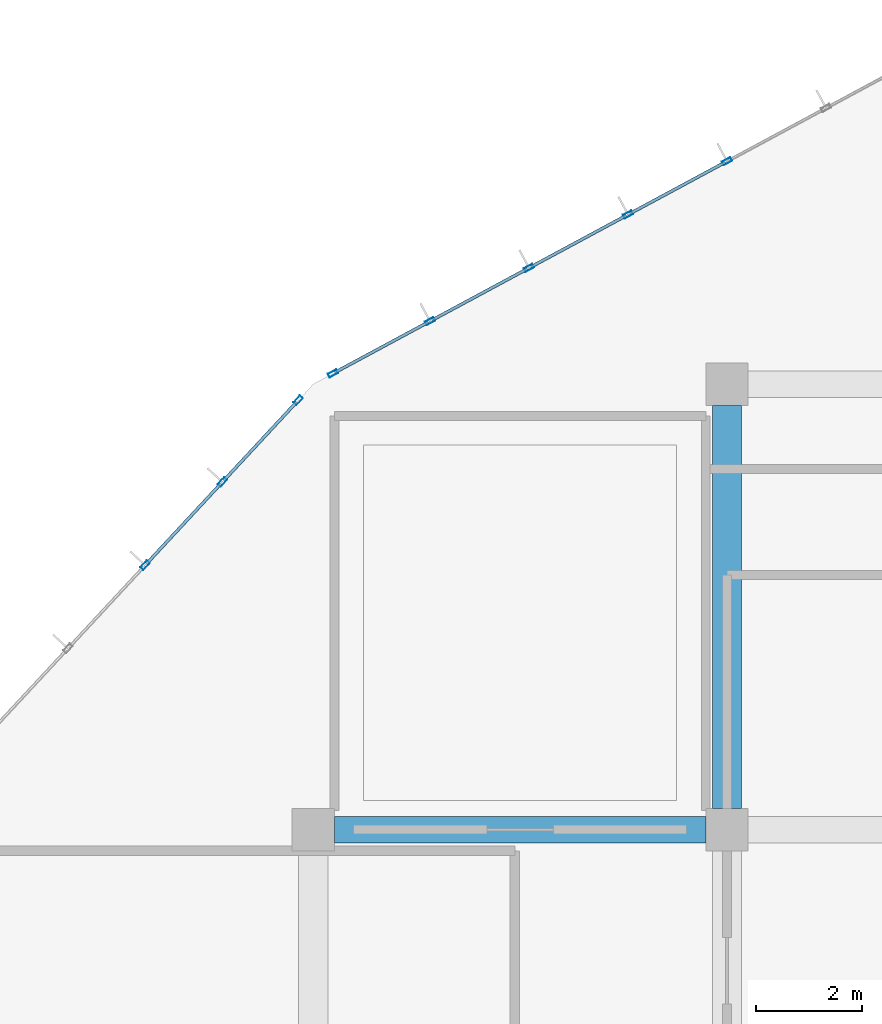
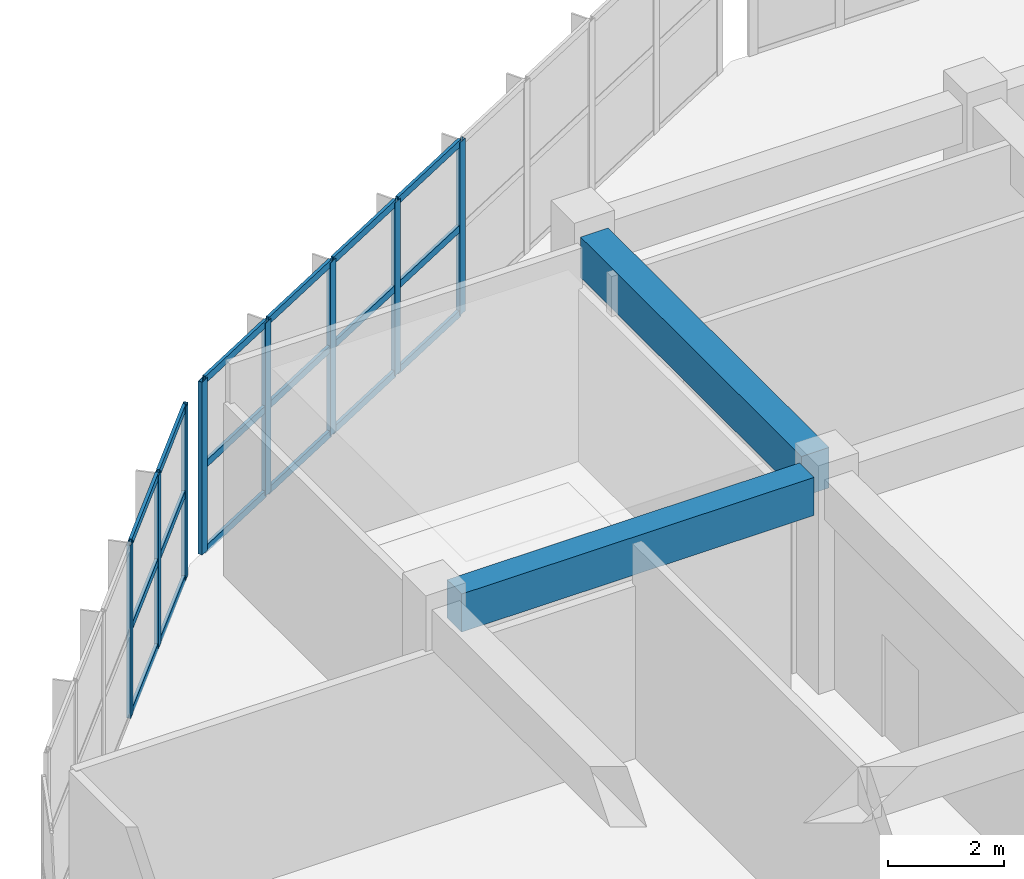
# One storey, part 30 of 139: 26 members, 2 beams, 2 elements without a shape of their own.
"""IFC4 building model written with IfcOpenShell, lengths in metres."""

from ifc_helpers import new_model, si_unit, direction, frame, origin, origin_2d, place, context, subcontext, project, spatial, rectangle, hollow_rectangle, extrude, material, layer, layer_set, material_profile, profile_set, type_object, element, aggregate, save


model = new_model("IFC4")

# Units and contexts
model_context = context("Model", 3, precision=1e-05, world=origin(), true_north=direction((0.0, 1.0)))
body_context = subcontext(model_context, "Body", "Model", "MODEL_VIEW")
ifc_project = project(units=[si_unit("LENGTHUNIT", "METRE"), si_unit("AREAUNIT", "SQUARE_METRE"), si_unit("VOLUMEUNIT", "CUBIC_METRE"), si_unit("PLANEANGLEUNIT", "RADIAN"), si_unit("MASSUNIT", "GRAM", prefix="KILO")], contexts=[model_context])

# Site, building, storey
site_placement = place(None, origin())
site = spatial("IfcSite", under=ifc_project, at=site_placement, CompositionType="ELEMENT")
building_placement = place(site_placement, origin())
building = spatial("IfcBuilding", under=site, at=building_placement, Name="Zizhar Promenade General Hospital", CompositionType="ELEMENT")
storey_placement = place(building_placement, origin())
storey = spatial("IfcBuildingStorey", under=building, at=storey_placement, Name="L00", CompositionType="ELEMENT", Elevation=0.0)

# Beams
ifc_material_1 = material(Name="Concrete C35/45", Category="concrete")
ifc_material_profile_1 = material_profile(ifc_material_1, rectangle(XDim=0.5, YDim=0.800048828125, at=origin_2d()))
ifc_profile_set_1 = profile_set([ifc_material_profile_1], Name="Concrete C35/45")
beam_type_1 = type_object("IfcBeamType", Name="BM-RC-500x800", PredefinedType="BEAM", material=ifc_profile_set_1)
beam_1_placement = place(storey_placement, frame((16.0, 67.199951171875, 4.070068359375), z_axis=(1.0, 0.0, 0.0), x_axis=(0.0, 1.0, 0.0)))
element("IfcBeam", 1, at=beam_1_placement, inside=storey, type_object=beam_type_1, Name="Grid Beam X L00 (2-8)", PredefinedType="BEAM", context=body_context, shape_type="SweptSolid", body=[
    extrude(rectangle(XDim=0.5, YDim=0.800048828125, at=origin_2d()), origin(), (0.0, 0.0, 1.0), 7.0),
])
ifc_material_2 = material(Name="Concrete C35/45", Category="concrete")
ifc_material_profile_2 = material_profile(ifc_material_2, rectangle(XDim=0.550048828125, YDim=0.85009765625, at=origin_2d()))
ifc_profile_set_2 = profile_set([ifc_material_profile_2], Name="Concrete C35/45")
beam_type_2 = type_object("IfcBeamType", Name="BM-RC-550x850", PredefinedType="BEAM", material=ifc_profile_set_2)
beam_2_placement = place(storey_placement, frame((23.39990234375, 67.60009765625, 4.044921875), z_axis=(0.0, 1.0, 0.0), x_axis=(-1.0, 0.0, 0.0)))
element("IfcBeam", 2, at=beam_2_placement, inside=storey, type_object=beam_type_2, Name="Grid Beam Y L00 (3-8)", PredefinedType="BEAM", context=body_context, shape_type="SweptSolid", body=[
    extrude(rectangle(XDim=0.550048828125, YDim=0.85009765625, at=origin_2d()), origin(), (0.0, 0.0, 1.0), 7.599853515625),
])

# Curtain wall, members
ifc_material_3 = material(Name="Anodised aluminium 6063-T6 and low-E glass", Category="aluminium")
ifc_layer = layer(ifc_material_3, 0.159912109375)
ifc_layer_set = layer_set([ifc_layer], Name="Anodised aluminium 6063-T6 and low-E glass")
curtain_wall_type = type_object("IfcCurtainWallType", Name="CW-DT-MOD2", PredefinedType="NOTDEFINED", material=ifc_layer_set)
curtain_wall_1_placement = place(storey_placement, origin())
curtain_wall_1 = element("IfcCurtainWall", 3, at=curtain_wall_1_placement, inside=storey, type_object=curtain_wall_type, Name="West Diagnostic Arm Glazed Curtain Wall L00-NW2", PredefinedType="NOTDEFINED")
ifc_material_4 = material(Name="Anodised aluminium 6063-T6", Category="aluminium")
ifc_material_profile_3 = material_profile(ifc_material_4, hollow_rectangle(XDim=0.080078125, YDim=0.179931640625, WallThickness=0.0048828125, at=origin_2d()))
ifc_profile_set_3 = profile_set([ifc_material_profile_3], Name="Anodised aluminium 6063-T6")
member_type_1 = type_object("IfcMemberType", Name="CWM-ALU-180x80", PredefinedType="MULLION", material=ifc_profile_set_3)
member_1_placement = place(storey_placement, frame((12.42822265625, 72.184326171875, 0.0), z_axis=(0.0, 0.0, 1.0), x_axis=(-0.732792826081, 0.680451816108, 0.0)))
member_1 = element("IfcMember", 4, at=member_1_placement, type_object=member_type_1, Name="CW-08 mullion 4", PredefinedType="MULLION", context=body_context, shape_type="SweptSolid", body=[
    extrude(hollow_rectangle(XDim=0.080078125, YDim=0.179931640625, WallThickness=0.0048828125, at=origin_2d()), origin(), (0.0, 0.0, 1.0), 3.6298828125),
])
member_2_placement = place(storey_placement, frame((13.884765625, 73.7529296875, 0.0), z_axis=(0.0, 0.0, 1.0), x_axis=(-0.732792826081, 0.680451816108, 0.0)))
member_2 = element("IfcMember", 5, at=member_2_placement, type_object=member_type_1, Name="CW-08 mullion 5", PredefinedType="MULLION", context=body_context, shape_type="SweptSolid", body=[
    extrude(hollow_rectangle(XDim=0.080078125, YDim=0.179931640625, WallThickness=0.0048828125, at=origin_2d()), origin(), (0.0, 0.0, 1.0), 3.6298828125),
])
member_3_placement = place(storey_placement, frame((15.314208984375, 75.292236328125, 0.0), z_axis=(0.0, 0.0, 1.0), x_axis=(-0.732792826081, 0.680451816108, 0.0)))
member_3 = element("IfcMember", 6, at=member_3_placement, type_object=member_type_1, Name="CW-08 mullion 6", PredefinedType="MULLION", context=body_context, shape_type="SweptSolid", body=[
    extrude(hollow_rectangle(XDim=0.080078125, YDim=0.179931640625, WallThickness=0.0048828125, at=origin_2d()), origin(), (0.0, 0.0, 1.0), 3.6298828125),
])

curtain_wall_2_placement = place(storey_placement, origin())
curtain_wall_2 = element("IfcCurtainWall", 7, at=curtain_wall_2_placement, inside=storey, type_object=curtain_wall_type, Name="West Diagnostic Arm Glazed Curtain Wall L00-NW3", PredefinedType="NOTDEFINED")
member_4_placement = place(storey_placement, frame((15.9697265625, 75.799072265625, 0.0), z_axis=(0.0, 0.0, 1.0), x_axis=(-0.474097009774, 0.880472614749, 0.0)))
member_4 = element("IfcMember", 8, at=member_4_placement, type_object=member_type_1, Name="CW-08 mullion 1", PredefinedType="MULLION", context=body_context, shape_type="SweptSolid", body=[
    extrude(hollow_rectangle(XDim=0.080078125, YDim=0.179931640625, WallThickness=0.0048828125, at=origin_2d()), origin(), (0.0, 0.0, 1.0), 3.6298828125),
])
member_5_placement = place(storey_placement, frame((17.801025390625, 76.78515625, 0.0), z_axis=(0.0, 0.0, 1.0), x_axis=(-0.474097009774, 0.880472614749, 0.0)))
member_5 = element("IfcMember", 9, at=member_5_placement, type_object=member_type_1, Name="CW-08 mullion 2", PredefinedType="MULLION", context=body_context, shape_type="SweptSolid", body=[
    extrude(hollow_rectangle(XDim=0.080078125, YDim=0.179931640625, WallThickness=0.0048828125, at=origin_2d()), origin(), (0.0, 0.0, 1.0), 3.6298828125),
])
member_6_placement = place(storey_placement, frame((19.667236328125, 77.7900390625, 0.0), z_axis=(0.0, 0.0, 1.0), x_axis=(-0.474097009774, 0.880472614749, 0.0)))
member_6 = element("IfcMember", 10, at=member_6_placement, type_object=member_type_1, Name="CW-08 mullion 3", PredefinedType="MULLION", context=body_context, shape_type="SweptSolid", body=[
    extrude(hollow_rectangle(XDim=0.080078125, YDim=0.179931640625, WallThickness=0.0048828125, at=origin_2d()), origin(), (0.0, 0.0, 1.0), 3.6298828125),
])
member_7_placement = place(storey_placement, frame((21.53369140625, 78.795166015625, 0.0), z_axis=(0.0, 0.0, 1.0), x_axis=(-0.474097009774, 0.880472614749, 0.0)))
member_7 = element("IfcMember", 11, at=member_7_placement, type_object=member_type_1, Name="CW-08 mullion 4", PredefinedType="MULLION", context=body_context, shape_type="SweptSolid", body=[
    extrude(hollow_rectangle(XDim=0.080078125, YDim=0.179931640625, WallThickness=0.0048828125, at=origin_2d()), origin(), (0.0, 0.0, 1.0), 3.6298828125),
])
member_8_placement = place(storey_placement, frame((23.39990234375, 79.800048828125, 0.0), z_axis=(0.0, 0.0, 1.0), x_axis=(-0.474097009774, 0.880472614749, 0.0)))
member_8 = element("IfcMember", 12, at=member_8_placement, type_object=member_type_1, Name="CW-08 mullion 5", PredefinedType="MULLION", context=body_context, shape_type="SweptSolid", body=[
    extrude(hollow_rectangle(XDim=0.080078125, YDim=0.179931640625, WallThickness=0.0048828125, at=origin_2d()), origin(), (0.0, 0.0, 1.0), 3.6298828125),
])

# Member
ifc_material_5 = material(Name="Anodised aluminium 6063-T6", Category="aluminium")
ifc_material_profile_4 = material_profile(ifc_material_5, hollow_rectangle(XDim=0.06005859375, YDim=0.14990234375, WallThickness=0.00390625, at=origin_2d()))
ifc_profile_set_4 = profile_set([ifc_material_profile_4], Name="Anodised aluminium 6063-T6")
member_type_2 = type_object("IfcMemberType", Name="CWT-ALU-150x60", PredefinedType="USERDEFINED", material=ifc_profile_set_4)
member_9_placement = place(storey_placement, frame((12.45556640625, 72.213623046875, 0.030029296875), z_axis=(0.680437465798, 0.732806151133, 0.0), x_axis=(-0.732806151133, 0.680437465798, 0.0)))
member_9 = element("IfcMember", 13, at=member_9_placement, type_object=member_type_2, Name="CW-08 transom 4.1", ObjectType="TRANSOM", PredefinedType="USERDEFINED", context=body_context, shape_type="SweptSolid", body=[
    extrude(hollow_rectangle(XDim=0.06005859375, YDim=0.14990234375, WallThickness=0.00390625, at=origin_2d()), origin(), (0.0, 0.0, 1.0), 2.060546875),
])

member_10_placement = place(storey_placement, frame((12.45556640625, 72.213623046875, 1.81494140625), z_axis=(0.680437465798, 0.732806151133, 0.0), x_axis=(-0.732806151133, 0.680437465798, 0.0)))
member_10 = element("IfcMember", 14, at=member_10_placement, type_object=member_type_2, Name="CW-08 transom 4.2", ObjectType="TRANSOM", PredefinedType="USERDEFINED", context=body_context, shape_type="SweptSolid", body=[
    extrude(hollow_rectangle(XDim=0.06005859375, YDim=0.14990234375, WallThickness=0.00390625, at=origin_2d()), origin(), (0.0, 0.0, 1.0), 2.060546875),
])

member_11_placement = place(storey_placement, frame((12.45556640625, 72.213623046875, 3.60009765625), z_axis=(0.680437465798, 0.732806151133, 0.0), x_axis=(-0.732806151133, 0.680437465798, 0.0)))
member_11 = element("IfcMember", 15, at=member_11_placement, type_object=member_type_2, Name="CW-08 transom 4.3", ObjectType="TRANSOM", PredefinedType="USERDEFINED", context=body_context, shape_type="SweptSolid", body=[
    extrude(hollow_rectangle(XDim=0.06005859375, YDim=0.14990234375, WallThickness=0.00390625, at=origin_2d()), origin(), (0.0, 0.0, 1.0), 2.060546875),
])

member_12_placement = place(storey_placement, frame((13.912109375, 73.7822265625, 0.030029296875), z_axis=(0.680400116913, 0.732840829174, 0.0), x_axis=(-0.732840829174, 0.680400116913, 0.0)))
member_12 = element("IfcMember", 16, at=member_12_placement, type_object=member_type_2, Name="CW-08 transom 5.1", ObjectType="TRANSOM", PredefinedType="USERDEFINED", context=body_context, shape_type="SweptSolid", body=[
    extrude(hollow_rectangle(XDim=0.06005859375, YDim=0.14990234375, WallThickness=0.00390625, at=origin_2d()), origin(), (0.0, 0.0, 1.0), 2.0205078125),
])

member_13_placement = place(storey_placement, frame((13.912109375, 73.7822265625, 1.81494140625), z_axis=(0.680400116913, 0.732840829174, 0.0), x_axis=(-0.732840829174, 0.680400116913, 0.0)))
member_13 = element("IfcMember", 17, at=member_13_placement, type_object=member_type_2, Name="CW-08 transom 5.2", ObjectType="TRANSOM", PredefinedType="USERDEFINED", context=body_context, shape_type="SweptSolid", body=[
    extrude(hollow_rectangle(XDim=0.06005859375, YDim=0.14990234375, WallThickness=0.00390625, at=origin_2d()), origin(), (0.0, 0.0, 1.0), 2.0205078125),
])

member_14_placement = place(storey_placement, frame((13.912109375, 73.7822265625, 3.60009765625), z_axis=(0.680400116913, 0.732840829174, 0.0), x_axis=(-0.732840829174, 0.680400116913, 0.0)))
member_14 = element("IfcMember", 18, at=member_14_placement, type_object=member_type_2, Name="CW-08 transom 5.3", ObjectType="TRANSOM", PredefinedType="USERDEFINED", context=body_context, shape_type="SweptSolid", body=[
    extrude(hollow_rectangle(XDim=0.06005859375, YDim=0.14990234375, WallThickness=0.00390625, at=origin_2d()), origin(), (0.0, 0.0, 1.0), 2.0205078125),
])

aggregate(curtain_wall_1, [member_1, member_2, member_3, member_9, member_10, member_11, member_12, member_13, member_14])

member_15_placement = place(storey_placement, frame((16.005126953125, 75.818115234375, 0.030029296875), z_axis=(0.880463258516, 0.474114385358, 0.0), x_axis=(-0.474114385358, 0.880463258516, 0.0)))
member_15 = element("IfcMember", 19, at=member_15_placement, type_object=member_type_2, Name="CW-08 transom 1.1", ObjectType="TRANSOM", PredefinedType="USERDEFINED", context=body_context, shape_type="SweptSolid", body=[
    extrude(hollow_rectangle(XDim=0.06005859375, YDim=0.14990234375, WallThickness=0.00390625, at=origin_2d()), origin(), (0.0, 0.0, 1.0), 1.99951171875),
])

member_16_placement = place(storey_placement, frame((16.005126953125, 75.818115234375, 1.81494140625), z_axis=(0.880463258516, 0.474114385358, 0.0), x_axis=(-0.474114385358, 0.880463258516, 0.0)))
member_16 = element("IfcMember", 20, at=member_16_placement, type_object=member_type_2, Name="CW-08 transom 1.2", ObjectType="TRANSOM", PredefinedType="USERDEFINED", context=body_context, shape_type="SweptSolid", body=[
    extrude(hollow_rectangle(XDim=0.06005859375, YDim=0.14990234375, WallThickness=0.00390625, at=origin_2d()), origin(), (0.0, 0.0, 1.0), 1.99951171875),
])

member_17_placement = place(storey_placement, frame((16.005126953125, 75.818115234375, 3.60009765625), z_axis=(0.880463258516, 0.474114385358, 0.0), x_axis=(-0.474114385358, 0.880463258516, 0.0)))
member_17 = element("IfcMember", 21, at=member_17_placement, type_object=member_type_2, Name="CW-08 transom 1.3", ObjectType="TRANSOM", PredefinedType="USERDEFINED", context=body_context, shape_type="SweptSolid", body=[
    extrude(hollow_rectangle(XDim=0.06005859375, YDim=0.14990234375, WallThickness=0.00390625, at=origin_2d()), origin(), (0.0, 0.0, 1.0), 1.99951171875),
])

member_18_placement = place(storey_placement, frame((17.836181640625, 76.80419921875, 0.030029296875), z_axis=(0.880467256516, 0.47410696072, 0.0), x_axis=(-0.47410696072, 0.880467256516, 0.0)))
member_18 = element("IfcMember", 22, at=member_18_placement, type_object=member_type_2, Name="CW-08 transom 2.1", ObjectType="TRANSOM", PredefinedType="USERDEFINED", context=body_context, shape_type="SweptSolid", body=[
    extrude(hollow_rectangle(XDim=0.06005859375, YDim=0.14990234375, WallThickness=0.00390625, at=origin_2d()), origin(), (0.0, 0.0, 1.0), 2.039794921875),
])

member_19_placement = place(storey_placement, frame((17.836181640625, 76.80419921875, 1.81494140625), z_axis=(0.880467256516, 0.47410696072, 0.0), x_axis=(-0.47410696072, 0.880467256516, 0.0)))
member_19 = element("IfcMember", 23, at=member_19_placement, type_object=member_type_2, Name="CW-08 transom 2.2", ObjectType="TRANSOM", PredefinedType="USERDEFINED", context=body_context, shape_type="SweptSolid", body=[
    extrude(hollow_rectangle(XDim=0.06005859375, YDim=0.14990234375, WallThickness=0.00390625, at=origin_2d()), origin(), (0.0, 0.0, 1.0), 2.039794921875),
])

member_20_placement = place(storey_placement, frame((17.836181640625, 76.80419921875, 3.60009765625), z_axis=(0.880467256516, 0.47410696072, 0.0), x_axis=(-0.47410696072, 0.880467256516, 0.0)))
member_20 = element("IfcMember", 24, at=member_20_placement, type_object=member_type_2, Name="CW-08 transom 2.3", ObjectType="TRANSOM", PredefinedType="USERDEFINED", context=body_context, shape_type="SweptSolid", body=[
    extrude(hollow_rectangle(XDim=0.06005859375, YDim=0.14990234375, WallThickness=0.00390625, at=origin_2d()), origin(), (0.0, 0.0, 1.0), 2.039794921875),
])

member_21_placement = place(storey_placement, frame((19.70263671875, 77.80908203125, 0.030029296875), z_axis=(0.880467256516, 0.47410696072, 0.0), x_axis=(-0.47410696072, 0.880467256516, 0.0)))
member_21 = element("IfcMember", 25, at=member_21_placement, type_object=member_type_2, Name="CW-08 transom 3.1", ObjectType="TRANSOM", PredefinedType="USERDEFINED", context=body_context, shape_type="SweptSolid", body=[
    extrude(hollow_rectangle(XDim=0.06005859375, YDim=0.14990234375, WallThickness=0.00390625, at=origin_2d()), origin(), (0.0, 0.0, 1.0), 2.039794921875),
])

member_22_placement = place(storey_placement, frame((19.70263671875, 77.80908203125, 1.81494140625), z_axis=(0.880467256516, 0.47410696072, 0.0), x_axis=(-0.47410696072, 0.880467256516, 0.0)))
member_22 = element("IfcMember", 26, at=member_22_placement, type_object=member_type_2, Name="CW-08 transom 3.2", ObjectType="TRANSOM", PredefinedType="USERDEFINED", context=body_context, shape_type="SweptSolid", body=[
    extrude(hollow_rectangle(XDim=0.06005859375, YDim=0.14990234375, WallThickness=0.00390625, at=origin_2d()), origin(), (0.0, 0.0, 1.0), 2.039794921875),
])

member_23_placement = place(storey_placement, frame((19.70263671875, 77.80908203125, 3.60009765625), z_axis=(0.880467256516, 0.47410696072, 0.0), x_axis=(-0.47410696072, 0.880467256516, 0.0)))
member_23 = element("IfcMember", 27, at=member_23_placement, type_object=member_type_2, Name="CW-08 transom 3.3", ObjectType="TRANSOM", PredefinedType="USERDEFINED", context=body_context, shape_type="SweptSolid", body=[
    extrude(hollow_rectangle(XDim=0.06005859375, YDim=0.14990234375, WallThickness=0.00390625, at=origin_2d()), origin(), (0.0, 0.0, 1.0), 2.039794921875),
])

member_24_placement = place(storey_placement, frame((21.56884765625, 78.81396484375, 0.030029296875), z_axis=(0.880467256516, 0.47410696072, 0.0), x_axis=(-0.47410696072, 0.880467256516, 0.0)))
member_24 = element("IfcMember", 28, at=member_24_placement, type_object=member_type_2, Name="CW-08 transom 4.1", ObjectType="TRANSOM", PredefinedType="USERDEFINED", context=body_context, shape_type="SweptSolid", body=[
    extrude(hollow_rectangle(XDim=0.06005859375, YDim=0.14990234375, WallThickness=0.00390625, at=origin_2d()), origin(), (0.0, 0.0, 1.0), 2.039794921875),
])

member_25_placement = place(storey_placement, frame((21.56884765625, 78.81396484375, 1.81494140625), z_axis=(0.880467256516, 0.47410696072, 0.0), x_axis=(-0.47410696072, 0.880467256516, 0.0)))
member_25 = element("IfcMember", 29, at=member_25_placement, type_object=member_type_2, Name="CW-08 transom 4.2", ObjectType="TRANSOM", PredefinedType="USERDEFINED", context=body_context, shape_type="SweptSolid", body=[
    extrude(hollow_rectangle(XDim=0.06005859375, YDim=0.14990234375, WallThickness=0.00390625, at=origin_2d()), origin(), (0.0, 0.0, 1.0), 2.039794921875),
])

member_26_placement = place(storey_placement, frame((21.56884765625, 78.81396484375, 3.60009765625), z_axis=(0.880467256516, 0.47410696072, 0.0), x_axis=(-0.47410696072, 0.880467256516, 0.0)))
member_26 = element("IfcMember", 30, at=member_26_placement, type_object=member_type_2, Name="CW-08 transom 4.3", ObjectType="TRANSOM", PredefinedType="USERDEFINED", context=body_context, shape_type="SweptSolid", body=[
    extrude(hollow_rectangle(XDim=0.06005859375, YDim=0.14990234375, WallThickness=0.00390625, at=origin_2d()), origin(), (0.0, 0.0, 1.0), 2.039794921875),
])

aggregate(curtain_wall_2, [member_4, member_5, member_6, member_7, member_8, member_15, member_16, member_17, member_18, member_19, member_20, member_21, member_22, member_23, member_24, member_25, member_26])

save(model, "model.ifc")
